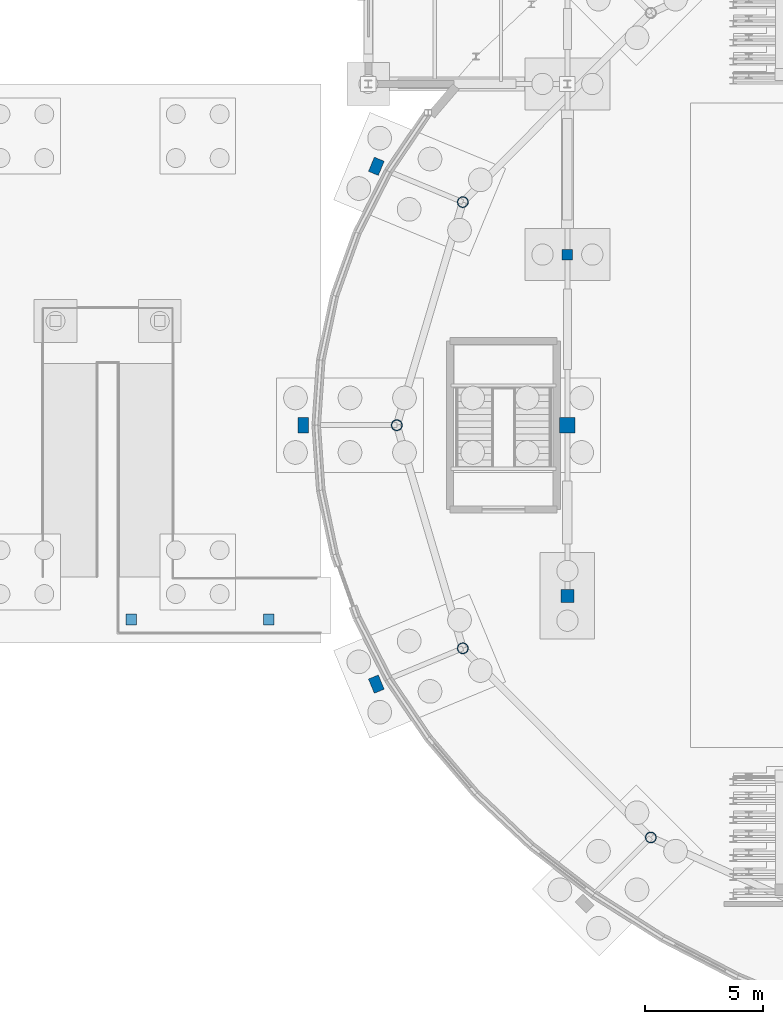
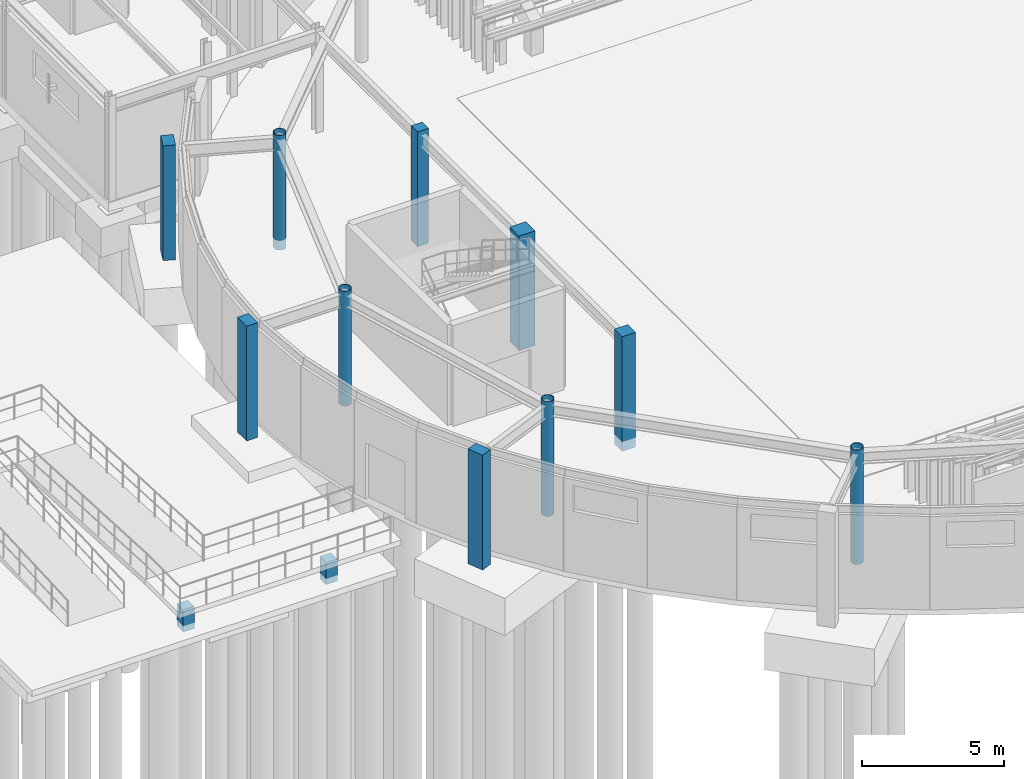
# One storey, part 11 of 93: 12 columns.
"""IFC4 building model written with IfcOpenShell, lengths in metres."""

from ifc_helpers import new_model, si_unit, derived_unit, direction, frame, origin, origin_2d, place, context, subcontext, project, spatial, rectangle, hollow_circle, extrude, material, material_profile, profile_set, type_object, element, save


model = new_model("IFC4")

# Units and contexts
model_context = context("Model", 3, precision=1e-05, world=origin(), true_north=direction((0.0, 1.0)))
body_context = subcontext(model_context, "Body", "Model", "MODEL_VIEW")
ifc_project = project(units=[si_unit("LENGTHUNIT", "METRE"), si_unit("AREAUNIT", "SQUARE_METRE"), si_unit("VOLUMEUNIT", "CUBIC_METRE"), si_unit("PLANEANGLEUNIT", "RADIAN"), si_unit("MASSUNIT", "GRAM", prefix="KILO"), derived_unit("THERMALTRANSMITTANCEUNIT", [(si_unit("MASSUNIT", "GRAM", prefix="KILO"), 1), (si_unit("TIMEUNIT", "SECOND"), -3), (si_unit("THERMODYNAMICTEMPERATUREUNIT", "KELVIN"), -1)])], contexts=[model_context])

# Site, building, storey
site_placement = place(None, origin())
site = spatial("IfcSite", under=ifc_project, at=site_placement, CompositionType="ELEMENT")
building_placement = place(site_placement, origin())
building = spatial("IfcBuilding", under=site, at=building_placement, Name="Kharveza Railside Sports Centre", CompositionType="ELEMENT")
storey_placement = place(building_placement, origin())
storey = spatial("IfcBuildingStorey", under=building, at=storey_placement, Name="L00", CompositionType="ELEMENT", Elevation=0.0)

# Columns
ifc_material_1 = material(Name="Concrete C35/45", Category="concrete")
ifc_material_profile_1 = material_profile(ifc_material_1, rectangle(XDim=0.449951171875, YDim=0.64990234375, at=origin_2d()), Name="RC 450x650")
ifc_profile_set_1 = profile_set([ifc_material_profile_1], Name="Concrete C35/45")
column_type_1 = type_object("IfcColumnType", Name="COL-RC04", PredefinedType="PILASTER", material=ifc_profile_set_1)
for number, where, z_axis, x_axis, name in (
    (1, (17.13671875, 61.32568359375, -0.419921875), (0.0, 0.0, 1.0), (-0.923879532511, 0.382683432365, 0.0), "COL-BUTT-08-L00"),
    (2, (14.050048828125, 50.39990234375, -0.419921875), (0.0, 0.0, 1.0), (-1.0, 0.0, 0.0), "COL-BUTT-09-L00"),
    (3, (17.13671875, 39.474365234375, -0.419921875), (0.0, 0.0, 1.0), (-0.923879532511, -0.382683432365, 0.0), "COL-BUTT-10-L00"),
):
    element("IfcColumn", number, at=place(storey_placement, frame(where, z_axis=z_axis, x_axis=x_axis)), inside=storey, type_object=column_type_1, Name=name, PredefinedType="PILASTER", context=body_context, shape_type="SweptSolid", body=[
        extrude(rectangle(XDim=0.449951171875, YDim=0.64990234375, at=origin_2d()), origin(), (0.0, 0.0, 1.0), 4.919921875),
    ])
ifc_material_profile_2 = material_profile(ifc_material_1, rectangle(XDim=0.550048828125, YDim=0.550048828125, at=origin_2d()), Name="RC 550x550")
ifc_profile_set_2 = profile_set([ifc_material_profile_2], Name="Concrete C35/45")
column_type_2 = type_object("IfcColumnType", Name="COL-RC07", PredefinedType="COLUMN", material=ifc_profile_set_2)
column_1_placement = place(storey_placement, frame((25.199951171875, 43.199951171875, -0.419921875), z_axis=(0.0, 0.0, 1.0), x_axis=(1.0, 0.0, 0.0)))
element("IfcColumn", 4, at=column_1_placement, inside=storey, type_object=column_type_2, Name="COL-BOWL-05-L00", PredefinedType="COLUMN", context=body_context, shape_type="SweptSolid", body=[
    extrude(rectangle(XDim=0.550048828125, YDim=0.550048828125, at=origin_2d()), origin(), (0.0, 0.0, 1.0), 4.919921875),
])
ifc_material_profile_3 = material_profile(ifc_material_1, rectangle(XDim=0.64990234375, YDim=0.64990234375, at=origin_2d()), Name="RC 650x650")
ifc_profile_set_3 = profile_set([ifc_material_profile_3], Name="Concrete C35/45")
column_type_3 = type_object("IfcColumnType", Name="COL-RC08", PredefinedType="COLUMN", material=ifc_profile_set_3)
column_2_placement = place(storey_placement, frame((25.199951171875, 50.39990234375, -0.419921875), z_axis=(0.0, 0.0, 1.0), x_axis=(1.0, 0.0, 0.0)))
element("IfcColumn", 5, at=column_2_placement, inside=storey, type_object=column_type_3, Name="COL-BOWL-06-L00", PredefinedType="COLUMN", context=body_context, shape_type="SweptSolid", body=[
    extrude(rectangle(XDim=0.64990234375, YDim=0.64990234375, at=origin_2d()), origin(), (0.0, 0.0, 1.0), 4.919921875),
])
ifc_material_profile_4 = material_profile(ifc_material_1, rectangle(XDim=0.449951171875, YDim=0.449951171875, at=origin_2d()), Name="RC 450x450")
ifc_profile_set_4 = profile_set([ifc_material_profile_4], Name="Concrete C35/45")
column_type_4 = type_object("IfcColumnType", Name="COL-RC09", PredefinedType="COLUMN", material=ifc_profile_set_4)
column_3_placement = place(storey_placement, frame((25.199951171875, 57.60009765625, -0.419921875), z_axis=(0.0, 0.0, 1.0), x_axis=(1.0, 0.0, 0.0)))
element("IfcColumn", 6, at=column_3_placement, inside=storey, type_object=column_type_4, Name="COL-BOWL-07-L00", PredefinedType="COLUMN", context=body_context, shape_type="SweptSolid", body=[
    extrude(rectangle(XDim=0.449951171875, YDim=0.449951171875, at=origin_2d()), origin(), (0.0, 0.0, 1.0), 4.919921875),
])
for number, where, z_axis, x_axis, name in (
    (7, (6.800048828125, 42.199951171875, -1.159912109375), (0.0, 0.0, 1.0), (1.0, 0.0, 0.0), "COL-RMP-DRUMW-C3"),
    (8, (12.60009765625, 42.199951171875, -1.159912109375), (0.0, 0.0, 1.0), (1.0, 0.0, 0.0), "COL-RMP-DRUMW-C4"),
):
    element("IfcColumn", number, at=place(storey_placement, frame(where, z_axis=z_axis, x_axis=x_axis)), inside=storey, type_object=column_type_4, Name=name, PredefinedType="COLUMN", context=body_context, shape_type="SweptSolid", body=[
        extrude(rectangle(XDim=0.449951171875, YDim=0.449951171875, at=origin_2d()), origin(), (0.0, 0.0, 1.0), 0.949951171875),
    ])
ifc_material_2 = material(Name="Steel S355J2", Category="steel")
ifc_material_profile_5 = material_profile(ifc_material_2, hollow_circle(Radius=0.228515625, WallThickness=0.02001953125, at=origin_2d()), Name="CHS 457.0x20.0")
ifc_profile_set_5 = profile_set([ifc_material_profile_5], Name="Steel S355J2")
column_type_5 = type_object("IfcColumnType", Name="COL-T01", PredefinedType="COLUMN", material=ifc_profile_set_5)
for number, where, z_axis, x_axis, name in (
    (9, (20.785888671875, 59.81396484375, -0.419921875), (0.0, 0.0, 1.0), (1.0, 0.0, 0.0), "COL-DRUM-08-L00"),
    (10, (18.0, 50.39990234375, -0.419921875), (0.0, 0.0, 1.0), (1.0, 0.0, 0.0), "COL-DRUM-09-L00"),
    (11, (20.785888671875, 40.986083984375, -0.419921875), (0.0, 0.0, 1.0), (1.0, 0.0, 0.0), "COL-DRUM-10-L00"),
    (12, (28.719970703125, 33.005126953125, -0.419921875), (0.0, 0.0, 1.0), (1.0, 0.0, 0.0), "COL-DRUM-11-L00"),
):
    element("IfcColumn", number, at=place(storey_placement, frame(where, z_axis=z_axis, x_axis=x_axis)), inside=storey, type_object=column_type_5, Name=name, PredefinedType="COLUMN", context=body_context, shape_type="SweptSolid", body=[
        extrude(hollow_circle(Radius=0.228515625, WallThickness=0.02001953125, at=origin_2d()), origin(), (0.0, 0.0, 1.0), 4.919921875),
    ])

save(model, "model.ifc")
